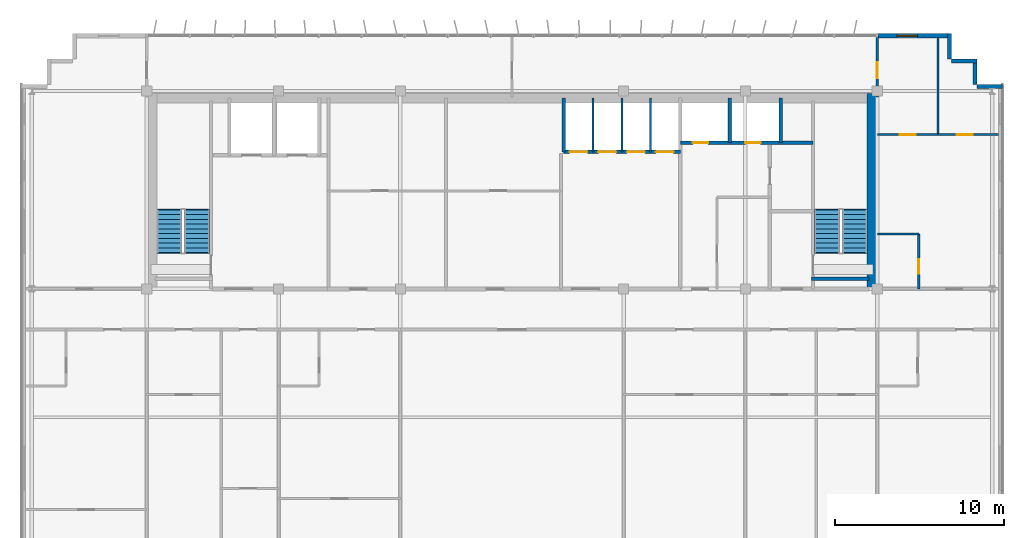
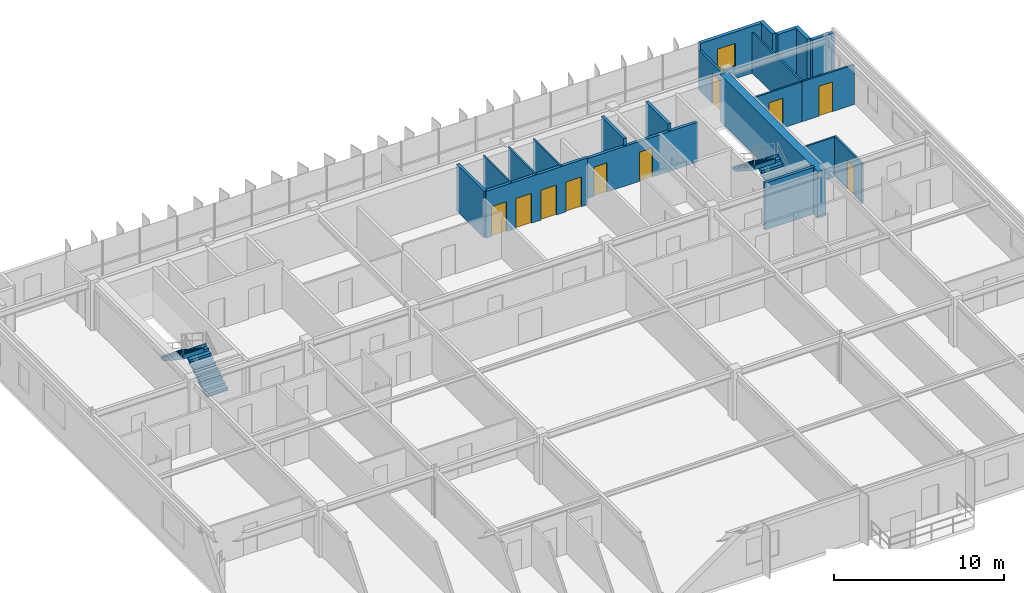
# One storey, part 20 of 22: 21 walls, 10 doors, 4 stair flights, 1 window, 11 openings, 2 elements without a shape of their own.
"""IFC4 building model written with IfcOpenShell, lengths in metres."""

from ifc_helpers import new_model, si_unit, direction, frame, frame_2d, origin, place, context, subcontext, project, spatial, polyline, rectangle, outline, extrude, source, transform, mapped, material, layer, layer_set, type_object, element, fill, aggregate, save


model = new_model("IFC4")

# Units and contexts
model_context = context("Model", 3, precision=1e-05, world=origin(), true_north=direction((0.0, 1.0)))
body_context = subcontext(model_context, "Body", "Model", "MODEL_VIEW")
ifc_project = project(units=[si_unit("LENGTHUNIT", "METRE"), si_unit("AREAUNIT", "SQUARE_METRE"), si_unit("VOLUMEUNIT", "CUBIC_METRE"), si_unit("PLANEANGLEUNIT", "RADIAN"), si_unit("MASSUNIT", "GRAM", prefix="KILO")], contexts=[model_context])

# Site, building, storey
site_placement = place(None, origin())
site = spatial("IfcSite", under=ifc_project, at=site_placement, CompositionType="ELEMENT")
building_placement = place(site_placement, origin())
building = spatial("IfcBuilding", under=site, at=building_placement, Name="Trelvane Seafront Commons", CompositionType="ELEMENT")
storey_placement = place(building_placement, frame((0.0, 0.0, 277.5)))
storey = spatial("IfcBuildingStorey", under=building, at=storey_placement, Name="L72", CompositionType="ELEMENT", Elevation=277.5)

# Wall, opening, window
ifc_material_1 = material(Name="Precast concrete C40/50", Category="concrete")
ifc_layer_1 = layer(ifc_material_1, 0.239990234375, Name="ARCH-WALL-EXT240")
ifc_layer_set_1 = layer_set([ifc_layer_1], Name="Precast concrete C40/50")
wall_type_1 = type_object("IfcWallType", Name="ARCH-WALL-EXT240", PredefinedType="SOLIDWALL", material=ifc_layer_set_1)
wall_1_placement = place(storey_placement, frame((58.800048828125, 48.3701171875, 0.0), z_axis=(0.0, 0.0, 1.0), x_axis=(1.0, 0.0, 0.0)))
wall_1 = element("IfcWall", 1, at=wall_1_placement, inside=storey, type_object=wall_type_1, Name="EW-L72-NE-1446", PredefinedType="SOLIDWALL", context=body_context, shape_type="SweptSolid", body=[
    extrude(rectangle(XDim=4.300048828125, YDim=0.239990234375, at=frame_2d((2.14990234375, 0.0))), origin(), (0.0, 0.0, 1.0), 3.3701171875),
])
opening_1_placement = place(wall_1_placement, frame((1.1689453125, 0.0, 0.89990234375)))
opening_1 = element("IfcOpeningElement", 2, at=opening_1_placement, cuts=wall_1, Name="Opening W05", PredefinedType="OPENING", context=body_context, shape_type="SweptSolid", body=[
    extrude(rectangle(XDim=1.199951171875, YDim=1.64990234375, at=frame_2d((0.60009765625, 0.824951171875))), frame((0.0, 0.1298828125, 0.0), z_axis=(0.0, -1.0, 0.0), x_axis=(1.0, 0.0, 0.0)), (0.0, 0.0, 1.0), 0.260009765625),
])
ifc_material_2 = material(Name="Low-E coastal double glazing", Category="glass")
window_type = type_object("IfcWindowType", Name="ARCH-WIN-W05", PartitioningType="SINGLE_PANEL", PredefinedType="WINDOW", material=ifc_material_2)
shared_shape_1 = source(origin(), body_context, "Body", "SweptSolid", [
    extrude(rectangle(XDim=1.199951171875, YDim=1.64990234375, at=frame_2d((0.60009765625, 0.824951171875))), frame((0.0, 0.030029296875, 0.0), z_axis=(0.0, -1.0, 0.0), x_axis=(1.0, 0.0, 0.0)), (0.0, 0.0, 1.0), 0.06005859375),
])
window_placement = place(opening_1_placement, origin())
window = element("IfcWindow", 3, at=window_placement, inside=storey, type_object=window_type, Name="WIN-L72-01723", OverallHeight=1.64990234375, OverallWidth=1.199951171875, PartitioningType="SINGLE_PANEL", PredefinedType="WINDOW", context=body_context, shape_type="MappedRepresentation", body=[
    mapped(shared_shape_1, transform((0.0, 0.0, 0.0), x_axis=(1.0, 0.0, 0.0), y_axis=(0.0, 1.0, 0.0), z_axis=(0.0, 0.0, 1.0), scale=1.0)),
])
fill(opening_1, window)

# Walls
for number, where, z_axis, x_axis, name in (
    (4, (63.080078125, 48.5, 0.0), (0.0, 0.0, 1.0), (0.0, -1.0, 0.0), "EW-L72-01455"),
    (5, (63.199951171875, 46.8798828125, 0.0), (0.0, 0.0, 1.0), (1.0, 0.0, 0.0), "EW-L72-01456"),
    (6, (64.580078125, 47.0, 0.0), (0.0, 0.0, 1.0), (0.0, -1.0, 0.0), "EW-L72-01457"),
    (7, (64.699951171875, 45.3798828125, 0.0), (0.0, 0.0, 1.0), (1.0, 0.0, 0.0), "EW-L72-01458"),
):
    element("IfcWall", number, at=place(storey_placement, frame(where, z_axis=z_axis, x_axis=x_axis)), inside=storey, type_object=wall_type_1, Name=name, PredefinedType="SOLIDWALL", context=body_context, shape_type="SweptSolid", body=[
        extrude(rectangle(XDim=1.5, YDim=0.239990234375, at=frame_2d((0.75, 0.0))), origin(), (0.0, 0.0, 1.0), 3.3701171875),
    ])
ifc_material_3 = material(Name="Gypsum Drywall Acoustic Partition")
ifc_layer_2 = layer(ifc_material_3, 0.1201171875, Name="ARCH-WALL-PART120")
ifc_layer_set_2 = layer_set([ifc_layer_2], Name="Gypsum Drywall Acoustic Partition")
wall_type_2 = type_object("IfcWallType", Name="ARCH-WALL-PART120", PredefinedType="PARTITIONING", material=ifc_layer_set_2)
for number, where, z_axis, x_axis, name in (
    (8, (42.0, 41.5, 0.0), (0.0, 0.0, 1.0), (0.0, 1.0, 0.0), "W-L72-PH-DIV1-020"),
    (9, (43.699951171875, 41.5, 0.0), (0.0, 0.0, 1.0), (0.0, 1.0, 0.0), "W-L72-PH-DIV2-021"),
    (10, (45.39990234375, 41.5, 0.0), (0.0, 0.0, 1.0), (0.0, 1.0, 0.0), "W-L72-PH-DIV3-022"),
):
    element("IfcWall", number, at=place(storey_placement, frame(where, z_axis=z_axis, x_axis=x_axis)), inside=storey, type_object=wall_type_2, Name=name, PredefinedType="PARTITIONING", context=body_context, shape_type="SweptSolid", body=[
        extrude(rectangle(XDim=3.199951171875, YDim=0.1201171875, at=frame_2d((1.60009765625, 0.0))), origin(), (0.0, 0.0, 1.0), 3.3701171875),
    ])

# Wall, opening, door
wall_2_placement = place(storey_placement, frame((61.25, 33.39990234375, 0.0), z_axis=(0.0, 0.0, 1.0), x_axis=(0.0, 1.0, 0.0)))
wall_2 = element("IfcWall", 11, at=wall_2_placement, inside=storey, type_object=wall_type_2, Name="W-L72-NE-BE-036", PredefinedType="PARTITIONING", context=body_context, shape_type="SweptSolid", body=[
    extrude(rectangle(XDim=3.25, YDim=0.1201171875, at=frame_2d((1.625, 0.0))), origin(), (0.0, 0.0, 1.0), 2.919921875),
])
opening_2_placement = place(wall_2_placement, frame((0.89990234375, 0.0, 0.0)))
opening_2 = element("IfcOpeningElement", 12, at=opening_2_placement, cuts=wall_2, Name="Opening D-L72-22", PredefinedType="OPENING", context=body_context, shape_type="SweptSolid", body=[
    extrude(rectangle(XDim=0.85009765625, YDim=2.10009765625, at=frame_2d((0.425048828125, 1.050048828125))), frame((0.0, 0.070068359375, 0.0), z_axis=(0.0, -1.0, 0.0), x_axis=(1.0, 0.0, 0.0)), (0.0, 0.0, 1.0), 0.14013671875),
])
ifc_material_4 = material(Name="Acoustic timber door leaf", Category="wood")
door_type_1 = type_object("IfcDoorType", Name="ARCH-DR-INT850", OperationType="NOTDEFINED", PredefinedType="DOOR", material=ifc_material_4)
shared_shape_2 = source(origin(), body_context, "Body", "SweptSolid", [
    extrude(rectangle(XDim=0.85009765625, YDim=2.10009765625, at=frame_2d((0.425048828125, 1.050048828125))), frame((0.0, 0.02490234375, 0.0), z_axis=(0.0, -1.0, 0.0), x_axis=(1.0, 0.0, 0.0)), (0.0, 0.0, 1.0), 0.050048828125),
])
door_1_placement = place(opening_2_placement, origin())
door_1 = element("IfcDoor", 13, at=door_1_placement, inside=storey, type_object=door_type_1, Name="L72 Door 22", OperationType="SINGLE_SWING_RIGHT", OverallHeight=2.10009765625, OverallWidth=0.85009765625, PredefinedType="DOOR", context=body_context, shape_type="MappedRepresentation", body=[
    mapped(shared_shape_2, transform((0.0, 0.0, 0.0), x_axis=(1.0, 0.0, 0.0), y_axis=(0.0, 1.0, 0.0), z_axis=(0.0, 0.0, 1.0), scale=1.0)),
])
fill(opening_2, door_1)

# Wall
wall_3_placement = place(storey_placement, frame((58.800048828125, 36.64990234375, 0.0), z_axis=(0.0, 0.0, 1.0), x_axis=(1.0, 0.0, 0.0)))
element("IfcWall", 14, at=wall_3_placement, inside=storey, type_object=wall_type_2, Name="W-L72-NE-BN-037", PredefinedType="PARTITIONING", context=body_context, shape_type="SweptSolid", body=[
    extrude(rectangle(XDim=2.449951171875, YDim=0.1201171875, at=frame_2d((1.22509765625, 0.0))), origin(), (0.0, 0.0, 1.0), 2.8701171875),
])

# Wall, opening, door
wall_4_placement = place(storey_placement, frame((58.800048828125, 42.52001953125, 0.0), z_axis=(0.0, 0.0, 1.0), x_axis=(1.0, 0.0, 0.0)))
wall_4 = element("IfcWall", 15, at=wall_4_placement, inside=storey, type_object=wall_type_2, Name="W-L72-NE-KB1-038", PredefinedType="PARTITIONING", context=body_context, shape_type="SweptSolid", body=[
    extrude(rectangle(XDim=3.574951171875, YDim=0.1201171875, at=frame_2d((1.78759765625, 0.0))), origin(), (0.0, 0.0, 1.0), 2.8701171875),
])
opening_3_placement = place(wall_4_placement, frame((1.31298828125, 0.0, 0.0)))
opening_3 = element("IfcOpeningElement", 16, at=opening_3_placement, cuts=wall_4, Name="Opening D-L72-23", PredefinedType="OPENING", context=body_context, shape_type="SweptSolid", body=[
    extrude(rectangle(XDim=0.949951171875, YDim=2.14990234375, at=frame_2d((0.47509765625, 1.074951171875))), frame((0.0, 0.070068359375, 0.0), z_axis=(0.0, -1.0, 0.0), x_axis=(1.0, 0.0, 0.0)), (0.0, 0.0, 1.0), 0.14013671875),
])
door_type_2 = type_object("IfcDoorType", Name="ARCH-DR-INT950", OperationType="NOTDEFINED", PredefinedType="DOOR", material=ifc_material_4)
shared_shape_3 = source(origin(), body_context, "Body", "SweptSolid", [
    extrude(rectangle(XDim=0.949951171875, YDim=2.14990234375, at=frame_2d((0.47509765625, 1.074951171875))), frame((0.0, 0.02490234375, 0.0), z_axis=(0.0, -1.0, 0.0), x_axis=(1.0, 0.0, 0.0)), (0.0, 0.0, 1.0), 0.050048828125),
])
door_2_placement = place(opening_3_placement, origin())
door_2 = element("IfcDoor", 17, at=door_2_placement, inside=storey, type_object=door_type_2, Name="L72 Door 23", OperationType="SINGLE_SWING_LEFT", OverallHeight=2.14990234375, OverallWidth=0.949951171875, PredefinedType="DOOR", context=body_context, shape_type="MappedRepresentation", body=[
    mapped(shared_shape_3, transform((0.0, 0.0, 0.0), x_axis=(1.0, 0.0, 0.0), y_axis=(0.0, 1.0, 0.0), z_axis=(0.0, 0.0, 1.0), scale=1.0)),
])
fill(opening_3, door_2)

wall_5_placement = place(storey_placement, frame((62.375, 42.52001953125, 0.0), z_axis=(0.0, 0.0, 1.0), x_axis=(1.0, 0.0, 0.0)))
wall_5 = element("IfcWall", 18, at=wall_5_placement, inside=storey, type_object=wall_type_2, Name="W-L72-NE-KB2-039", PredefinedType="PARTITIONING", context=body_context, shape_type="SweptSolid", body=[
    extrude(rectangle(XDim=3.574951171875, YDim=0.1201171875, at=frame_2d((1.78759765625, 0.0))), origin(), (0.0, 0.0, 1.0), 2.8701171875),
])
opening_4_placement = place(wall_5_placement, frame((1.1259765625, 0.0, 0.0)))
opening_4 = element("IfcOpeningElement", 19, at=opening_4_placement, cuts=wall_5, Name="Opening D-L72-24", PredefinedType="OPENING", context=body_context, shape_type="SweptSolid", body=[
    extrude(rectangle(XDim=0.949951171875, YDim=2.14990234375, at=frame_2d((0.47509765625, 1.074951171875))), frame((0.0, 0.070068359375, 0.0), z_axis=(0.0, -1.0, 0.0), x_axis=(1.0, 0.0, 0.0)), (0.0, 0.0, 1.0), 0.14013671875),
])
door_3_placement = place(opening_4_placement, origin())
door_3 = element("IfcDoor", 20, at=door_3_placement, inside=storey, type_object=door_type_2, Name="L72 Door 24", OperationType="SINGLE_SWING_RIGHT", OverallHeight=2.14990234375, OverallWidth=0.949951171875, PredefinedType="DOOR", context=body_context, shape_type="MappedRepresentation", body=[
    mapped(shared_shape_3, transform((0.0, 0.0, 0.0), x_axis=(1.0, 0.0, 0.0), y_axis=(0.0, 1.0, 0.0), z_axis=(0.0, 0.0, 1.0), scale=1.0)),
])
fill(opening_4, door_3)

# Wall
wall_6_placement = place(storey_placement, frame((62.375, 42.52001953125, 0.0), z_axis=(0.0, 0.0, 1.0), x_axis=(0.0, 1.0, 0.0)))
element("IfcWall", 21, at=wall_6_placement, inside=storey, type_object=wall_type_2, Name="W-L72-NE-KBDV-040", PredefinedType="PARTITIONING", context=body_context, shape_type="SweptSolid", body=[
    extrude(rectangle(XDim=5.739990234375, YDim=0.1201171875, at=frame_2d((2.8701171875, 0.0))), origin(), (0.0, 0.0, 1.0), 2.919921875),
])

# Wall, opening, door
ifc_layer_3 = layer(ifc_material_3, 0.14990234375, Name="ARCH-WALL-PART150")
ifc_layer_set_3 = layer_set([ifc_layer_3], Name="Gypsum Drywall Acoustic Partition")
wall_type_3 = type_object("IfcWallType", Name="ARCH-WALL-PART150", PredefinedType="PARTITIONING", material=ifc_layer_set_3)
wall_7_placement = place(storey_placement, frame((58.800048828125, 44.75, 0.0), z_axis=(0.0, 0.0, 1.0), x_axis=(0.0, 1.0, 0.0)))
wall_7 = element("IfcWall", 22, at=wall_7_placement, inside=storey, type_object=wall_type_3, Name="W-L72-N-LINK-E-044", PredefinedType="PARTITIONING", context=body_context, shape_type="SweptSolid", body=[
    extrude(rectangle(XDim=3.610107421875, YDim=0.14990234375, at=frame_2d((1.80517578125, 0.0))), origin(), (0.0, 0.0, 1.0), 2.8701171875),
])
opening_5_placement = place(wall_7_placement, frame((1.10009765625, 0.0, 0.0)))
opening_5 = element("IfcOpeningElement", 23, at=opening_5_placement, cuts=wall_7, Name="Opening FD-L72-28", PredefinedType="OPENING", context=body_context, shape_type="SweptSolid", body=[
    extrude(rectangle(XDim=0.949951171875, YDim=2.14990234375, at=frame_2d((0.47509765625, 1.074951171875))), frame((0.0, 0.0849609375, 0.0), z_axis=(0.0, -1.0, 0.0), x_axis=(1.0, 0.0, 0.0)), (0.0, 0.0, 1.0), 0.169921875),
])
ifc_material_5 = material(Name="Powder-coated aluminium frame", Category="aluminium")
door_type_3 = type_object("IfcDoorType", Name="ARCH-DR-FD60-950", OperationType="NOTDEFINED", PredefinedType="DOOR", material=ifc_material_5)
door_4_placement = place(opening_5_placement, origin())
door_4 = element("IfcDoor", 24, at=door_4_placement, inside=storey, type_object=door_type_3, Name="L72 Door 28", OperationType="SINGLE_SWING_RIGHT", OverallHeight=2.14990234375, OverallWidth=0.949951171875, PredefinedType="DOOR", context=body_context, shape_type="MappedRepresentation", body=[
    mapped(shared_shape_3, transform((0.0, 0.0, 0.0), x_axis=(1.0, 0.0, 0.0), y_axis=(0.0, 1.0, 0.0), z_axis=(0.0, 0.0, 1.0), scale=1.0)),
])
fill(opening_5, door_4)

# Wall, openings, doors
ifc_material_6 = material(Name="Concrete C40/50", Category="concrete")
ifc_layer_4 = layer(ifc_material_6, 0.199951171875, Name="ARCH-WALL-SHAFT200")
ifc_layer_set_4 = layer_set([ifc_layer_4], Name="Concrete C40/50")
wall_type_4 = type_object("IfcWallType", Name="ARCH-WALL-SHAFT200", PredefinedType="SOLIDWALL", material=ifc_layer_set_4)
wall_8_placement = place(storey_placement, frame((40.25, 41.5, 0.0), z_axis=(0.0, 0.0, 1.0), x_axis=(1.0, 0.0, 0.0)))
wall_8 = element("IfcWall", 25, at=wall_8_placement, inside=storey, type_object=wall_type_4, Name="W-L72-PH-FRONT-018", PredefinedType="SOLIDWALL", context=body_context, shape_type="SweptSolid", body=[
    extrude(rectangle(XDim=6.89990234375, YDim=0.199951171875, at=frame_2d((3.449951171875, 0.0))), origin(), (0.0, 0.0, 1.0), 3.3701171875),
])
opening_6_placement = place(wall_8_placement, frame((0.35009765625, 0.0, 0.0)))
opening_6 = element("IfcOpeningElement", 26, at=opening_6_placement, cuts=wall_8, Name="Opening LD-PH1-L72", PredefinedType="OPENING", context=body_context, shape_type="SweptSolid", body=[
    extrude(rectangle(XDim=1.050048828125, YDim=2.14990234375, at=frame_2d((0.52490234375, 1.074951171875))), frame((0.0, 0.10986328125, 0.0), z_axis=(0.0, -1.0, 0.0), x_axis=(1.0, 0.0, 0.0)), (0.0, 0.0, 1.0), 0.219970703125),
])
opening_7_placement = place(wall_8_placement, frame((2.050048828125, 0.0, 0.0)))
opening_7 = element("IfcOpeningElement", 27, at=opening_7_placement, cuts=wall_8, Name="Opening LD-PH2-L72", PredefinedType="OPENING", context=body_context, shape_type="SweptSolid", body=[
    extrude(rectangle(XDim=1.050048828125, YDim=2.14990234375, at=frame_2d((0.52490234375, 1.074951171875))), frame((0.0, 0.10986328125, 0.0), z_axis=(0.0, -1.0, 0.0), x_axis=(1.0, 0.0, 0.0)), (0.0, 0.0, 1.0), 0.219970703125),
])
opening_8_placement = place(wall_8_placement, frame((3.75, 0.0, 0.0)))
opening_8 = element("IfcOpeningElement", 28, at=opening_8_placement, cuts=wall_8, Name="Opening LD-PH3-L72", PredefinedType="OPENING", context=body_context, shape_type="SweptSolid", body=[
    extrude(rectangle(XDim=1.050048828125, YDim=2.14990234375, at=frame_2d((0.52490234375, 1.074951171875))), frame((0.0, 0.10986328125, 0.0), z_axis=(0.0, -1.0, 0.0), x_axis=(1.0, 0.0, 0.0)), (0.0, 0.0, 1.0), 0.219970703125),
])
opening_9_placement = place(wall_8_placement, frame((5.449951171875, 0.0, 0.0)))
opening_9 = element("IfcOpeningElement", 29, at=opening_9_placement, cuts=wall_8, Name="Opening LD-PH4-L72", PredefinedType="OPENING", context=body_context, shape_type="SweptSolid", body=[
    extrude(rectangle(XDim=1.050048828125, YDim=2.14990234375, at=frame_2d((0.52490234375, 1.074951171875))), frame((0.0, 0.10986328125, 0.0), z_axis=(0.0, -1.0, 0.0), x_axis=(1.0, 0.0, 0.0)), (0.0, 0.0, 1.0), 0.219970703125),
])
ifc_material_7 = material(Name="Stainless steel balustrade", Category="steel")
door_type_4 = type_object("IfcDoorType", Name="ARCH-DR-LD1050", OperationType="DOUBLE_DOOR_SLIDING", PredefinedType="DOOR", material=ifc_material_7)
shared_shape_4 = source(origin(), body_context, "Body", "SweptSolid", [
    extrude(rectangle(XDim=1.050048828125, YDim=2.14990234375, at=frame_2d((0.52490234375, 1.074951171875))), frame((0.0, 0.02490234375, 0.0), z_axis=(0.0, -1.0, 0.0), x_axis=(1.0, 0.0, 0.0)), (0.0, 0.0, 1.0), 0.050048828125),
])
door_5_placement = place(opening_6_placement, origin())
door_5 = element("IfcDoor", 30, at=door_5_placement, inside=storey, type_object=door_type_4, Name="L72 Passenger Lift PH-1 Landing Door", OperationType="DOUBLE_DOOR_SLIDING", OverallHeight=2.14990234375, OverallWidth=1.050048828125, PredefinedType="DOOR", context=body_context, shape_type="MappedRepresentation", body=[
    mapped(shared_shape_4, transform((0.0, 0.0, 0.0), x_axis=(1.0, 0.0, 0.0), y_axis=(0.0, 1.0, 0.0), z_axis=(0.0, 0.0, 1.0), scale=1.0)),
])
fill(opening_6, door_5)
door_6_placement = place(opening_7_placement, origin())
door_6 = element("IfcDoor", 31, at=door_6_placement, inside=storey, type_object=door_type_4, Name="L72 Passenger Lift PH-2 Landing Door", OperationType="DOUBLE_DOOR_SLIDING", OverallHeight=2.14990234375, OverallWidth=1.050048828125, PredefinedType="DOOR", context=body_context, shape_type="MappedRepresentation", body=[
    mapped(shared_shape_4, transform((0.0, 0.0, 0.0), x_axis=(1.0, 0.0, 0.0), y_axis=(0.0, 1.0, 0.0), z_axis=(0.0, 0.0, 1.0), scale=1.0)),
])
fill(opening_7, door_6)
door_7_placement = place(opening_8_placement, origin())
door_7 = element("IfcDoor", 32, at=door_7_placement, inside=storey, type_object=door_type_4, Name="L72 Passenger Lift PH-3 Landing Door", OperationType="DOUBLE_DOOR_SLIDING", OverallHeight=2.14990234375, OverallWidth=1.050048828125, PredefinedType="DOOR", context=body_context, shape_type="MappedRepresentation", body=[
    mapped(shared_shape_4, transform((0.0, 0.0, 0.0), x_axis=(1.0, 0.0, 0.0), y_axis=(0.0, 1.0, 0.0), z_axis=(0.0, 0.0, 1.0), scale=1.0)),
])
fill(opening_8, door_7)
door_8_placement = place(opening_9_placement, origin())
door_8 = element("IfcDoor", 33, at=door_8_placement, inside=storey, type_object=door_type_4, Name="L72 Passenger Lift PH-4 Landing Door", OperationType="DOUBLE_DOOR_SLIDING", OverallHeight=2.14990234375, OverallWidth=1.050048828125, PredefinedType="DOOR", context=body_context, shape_type="MappedRepresentation", body=[
    mapped(shared_shape_4, transform((0.0, 0.0, 0.0), x_axis=(1.0, 0.0, 0.0), y_axis=(0.0, 1.0, 0.0), z_axis=(0.0, 0.0, 1.0), scale=1.0)),
])
fill(opening_9, door_8)

# Wall
wall_9_placement = place(storey_placement, frame((40.25, 41.5, 0.0), z_axis=(0.0, 0.0, 1.0), x_axis=(0.0, 1.0, 0.0)))
element("IfcWall", 34, at=wall_9_placement, inside=storey, type_object=wall_type_4, Name="W-L72-PH-WEST-SH-019", PredefinedType="SOLIDWALL", context=body_context, shape_type="SweptSolid", body=[
    extrude(rectangle(XDim=3.199951171875, YDim=0.199951171875, at=frame_2d((1.60009765625, 0.0))), origin(), (0.0, 0.0, 1.0), 3.3701171875),
])

# Wall, openings, doors
wall_10_placement = place(storey_placement, frame((47.14990234375, 42.050048828125, 0.0), z_axis=(0.0, 0.0, 1.0), x_axis=(1.0, 0.0, 0.0)))
wall_10 = element("IfcWall", 35, at=wall_10_placement, inside=storey, type_object=wall_type_4, Name="W-L72-RSR-S-027", PredefinedType="SOLIDWALL", context=body_context, shape_type="SweptSolid", body=[
    extrude(rectangle(XDim=7.85009765625, YDim=0.199951171875, at=frame_2d((3.925048828125, 0.0))), origin(), (0.0, 0.0, 1.0), 2.8701171875),
])
opening_10_placement = place(wall_10_placement, frame((0.75, 0.0, 0.0)))
opening_10 = element("IfcOpeningElement", 36, at=opening_10_placement, cuts=wall_10, Name="Opening FD-L72-15", PredefinedType="OPENING", context=body_context, shape_type="SweptSolid", body=[
    extrude(rectangle(XDim=0.89990234375, YDim=2.10009765625, at=frame_2d((0.449951171875, 1.050048828125))), frame((0.0, 0.10986328125, 0.0), z_axis=(0.0, -1.0, 0.0), x_axis=(1.0, 0.0, 0.0)), (0.0, 0.0, 1.0), 0.219970703125),
])
opening_11_placement = place(wall_10_placement, frame((3.85009765625, 0.0, 0.0)))
opening_11 = element("IfcOpeningElement", 37, at=opening_11_placement, cuts=wall_10, Name="Opening FD-L72-16", PredefinedType="OPENING", context=body_context, shape_type="SweptSolid", body=[
    extrude(rectangle(XDim=0.89990234375, YDim=2.10009765625, at=frame_2d((0.449951171875, 1.050048828125))), frame((0.0, 0.10986328125, 0.0), z_axis=(0.0, -1.0, 0.0), x_axis=(1.0, 0.0, 0.0)), (0.0, 0.0, 1.0), 0.219970703125),
])
door_type_5 = type_object("IfcDoorType", Name="ARCH-DR-FD60-900", OperationType="NOTDEFINED", PredefinedType="DOOR", material=ifc_material_5)
shared_shape_5 = source(origin(), body_context, "Body", "SweptSolid", [
    extrude(rectangle(XDim=0.89990234375, YDim=2.10009765625, at=frame_2d((0.449951171875, 1.050048828125))), frame((0.0, 0.02490234375, 0.0), z_axis=(0.0, -1.0, 0.0), x_axis=(1.0, 0.0, 0.0)), (0.0, 0.0, 1.0), 0.050048828125),
])
door_9_placement = place(opening_10_placement, origin())
door_9 = element("IfcDoor", 38, at=door_9_placement, inside=storey, type_object=door_type_5, Name="L72 Electrical Riser Access Door", OperationType="SINGLE_SWING_LEFT", OverallHeight=2.10009765625, OverallWidth=0.89990234375, PredefinedType="DOOR", context=body_context, shape_type="MappedRepresentation", body=[
    mapped(shared_shape_5, transform((0.0, 0.0, 0.0), x_axis=(1.0, 0.0, 0.0), y_axis=(0.0, 1.0, 0.0), z_axis=(0.0, 0.0, 1.0), scale=1.0)),
])
fill(opening_10, door_9)
door_10_placement = place(opening_11_placement, origin())
door_10 = element("IfcDoor", 39, at=door_10_placement, inside=storey, type_object=door_type_5, Name="L72 Mechanical Riser Access Door", OperationType="SINGLE_SWING_RIGHT", OverallHeight=2.10009765625, OverallWidth=0.89990234375, PredefinedType="DOOR", context=body_context, shape_type="MappedRepresentation", body=[
    mapped(shared_shape_5, transform((0.0, 0.0, 0.0), x_axis=(1.0, 0.0, 0.0), y_axis=(0.0, 1.0, 0.0), z_axis=(0.0, 0.0, 1.0), scale=1.0)),
])
fill(opening_11, door_10)

# Walls
for number, where, z_axis, x_axis, name in (
    (40, (50.080078125, 42.050048828125, 0.0), (0.0, 0.0, 1.0), (0.0, 1.0, 0.0), "W-L72-RSR-DIV-028"),
    (41, (53.10009765625, 42.050048828125, 0.0), (0.0, 0.0, 1.0), (0.0, 1.0, 0.0), "W-L72-RSR-E-029"),
):
    element("IfcWall", number, at=place(storey_placement, frame(where, z_axis=z_axis, x_axis=x_axis)), inside=storey, type_object=wall_type_4, Name=name, PredefinedType="SOLIDWALL", context=body_context, shape_type="SweptSolid", body=[
        extrude(rectangle(XDim=2.64990234375, YDim=0.199951171875, at=frame_2d((1.324951171875, 0.0))), origin(), (0.0, 0.0, 1.0), 3.3701171875),
    ])
ifc_material_8 = material(Name="Concrete C50/60", Category="concrete")
ifc_layer_5 = layer(ifc_material_8, 0.550048828125, Name="STR-WALL-CORE550")
ifc_layer_set_5 = layer_set([ifc_layer_5], Name="Concrete C50/60")
wall_type_5 = type_object("IfcWallType", Name="STR-WALL-CORE550", PredefinedType="SHEAR", material=ifc_layer_set_5)
wall_11_placement = place(storey_placement, frame((58.47509765625, 33.39990234375, 0.0), z_axis=(0.0, 0.0, 1.0), x_axis=(0.0, 1.0, 0.0)))
element("IfcWall", 42, at=wall_11_placement, inside=storey, type_object=wall_type_5, Name="W-L72-CE-END-003", PredefinedType="SHEAR", context=body_context, shape_type="SweptSolid", body=[
    extrude(rectangle(XDim=11.550048828125, YDim=0.550048828125, at=frame_2d((5.77490234375, 0.0))), origin(), (0.0, 0.0, 1.0), 3.3701171875),
])
ifc_layer_6 = layer(ifc_material_8, 0.199951171875, Name="STR-WALL-STAIR200")
ifc_layer_set_6 = layer_set([ifc_layer_6], Name="Concrete C50/60")
wall_type_6 = type_object("IfcWallType", Name="STR-WALL-STAIR200", PredefinedType="SHEAR", material=ifc_layer_set_6)
wall_12_placement = place(storey_placement, frame((54.89990234375, 34.0, 0.0), z_axis=(0.0, 0.0, 1.0), x_axis=(1.0, 0.0, 0.0)))
element("IfcWall", 43, at=wall_12_placement, inside=storey, type_object=wall_type_6, Name="W-L72-ST2-S-006", PredefinedType="SHEAR", context=body_context, shape_type="SweptSolid", body=[
    extrude(rectangle(XDim=3.400146484375, YDim=0.199951171875, at=frame_2d((1.7001953125, 0.0))), origin(), (0.0, 0.0, 1.0), 3.3701171875),
])

# Stair, stair flights
stair_type_1 = type_object("IfcStairType", Name="ARCH-STR-ST-1-R20-180", PredefinedType="HALF_TURN_STAIR", material=ifc_material_6)
stair_1_placement = place(storey_placement, origin())
stair_1 = element("IfcStair", 44, at=stair_1_placement, inside=storey, type_object=stair_type_1, Name="L72 West Protected Firefighting Exit Stair ST-1", PredefinedType="HALF_TURN_STAIR")
stair_flight_type_1 = type_object("IfcStairFlightType", Name="ARCH-FLG-ST-1-R20-180", PredefinedType="STRAIGHT", material=ifc_material_6)
shared_shape_6 = source(origin(), body_context, "Body", "SweptSolid", [
    extrude(outline(polyline([(-0.050048828125, -0.02001953125), (-0.050048828125, 0.0), (0.0, 0.0), (0.0, 0.179931640625), (0.280029296875, 0.179931640625), (0.280029296875, 0.360107421875), (0.56005859375, 0.360107421875), (0.56005859375, 0.5400390625), (0.840087890625, 0.5400390625), (0.840087890625, 0.719970703125), (1.1201171875, 0.719970703125), (1.1201171875, 0.89990234375), (1.39990234375, 0.89990234375), (1.39990234375, 1.080078125), (1.679931640625, 1.080078125), (1.679931640625, 1.260009765625), (1.9599609375, 1.260009765625), (1.9599609375, 1.43994140625), (2.239990234375, 1.43994140625), (2.239990234375, 1.6201171875), (2.52001953125, 1.6201171875), (2.52001953125, 1.800048828125), (2.570068359375, 1.800048828125), (2.570068359375, 1.650146484375), (2.52001953125, 1.44189453125), (0.277099609375, -0.02001953125), (-0.050048828125, -0.02001953125)])), frame((0.0, 0.72509765625, 0.0), z_axis=(0.0, -1.0, 0.0), x_axis=(1.0, 0.0, 0.0)), (0.0, 0.0, 1.0), 1.449951171875),
])
stair_flight_1_placement = place(storey_placement, frame((18.574951171875, 35.550048828125, 0.0), z_axis=(0.0, 0.0, 1.0), x_axis=(0.0, 1.0, 0.0)))
stair_flight_1 = element("IfcStairFlight", 45, at=stair_flight_1_placement, type_object=stair_flight_type_1, Name="ST-1 flight 1", NumberOfRisers=10, NumberOfTreads=9, PredefinedType="STRAIGHT", RiserHeight=0.18, TreadLength=0.28, context=body_context, shape_type="MappedRepresentation", body=[
    mapped(shared_shape_6, transform((0.0, 0.0, 0.0), x_axis=(1.0, 0.0, 0.0), y_axis=(0.0, 1.0, 0.0), z_axis=(0.0, 0.0, 1.0), scale=1.0)),
])
stair_flight_2_placement = place(storey_placement, frame((16.925048828125, 38.070068359375, 1.800048828125), z_axis=(0.0, 0.0, 1.0), x_axis=(0.0, -1.0, 0.0)))
stair_flight_2 = element("IfcStairFlight", 46, at=stair_flight_2_placement, type_object=stair_flight_type_1, Name="ST-1 flight 2", NumberOfRisers=10, NumberOfTreads=9, PredefinedType="STRAIGHT", RiserHeight=0.18, TreadLength=0.28, context=body_context, shape_type="MappedRepresentation", body=[
    mapped(shared_shape_6, transform((0.0, 0.0, 0.0), x_axis=(1.0, 0.0, 0.0), y_axis=(0.0, 1.0, 0.0), z_axis=(0.0, 0.0, 1.0), scale=1.0)),
])
aggregate(stair_1, [stair_flight_1, stair_flight_2])

stair_type_2 = type_object("IfcStairType", Name="ARCH-STR-ST-2-R20-180", PredefinedType="HALF_TURN_STAIR", material=ifc_material_6)
stair_2_placement = place(storey_placement, origin())
stair_2 = element("IfcStair", 47, at=stair_2_placement, inside=storey, type_object=stair_type_2, Name="L72 East Protected Firefighting Exit Stair ST-2", PredefinedType="HALF_TURN_STAIR")
stair_flight_type_2 = type_object("IfcStairFlightType", Name="ARCH-FLG-ST-2-R20-180", PredefinedType="STRAIGHT", material=ifc_material_6)
stair_flight_3_placement = place(storey_placement, frame((57.47509765625, 35.550048828125, 0.0), z_axis=(0.0, 0.0, 1.0), x_axis=(0.0, 1.0, 0.0)))
stair_flight_3 = element("IfcStairFlight", 48, at=stair_flight_3_placement, type_object=stair_flight_type_2, Name="ST-2 flight 1", NumberOfRisers=10, NumberOfTreads=9, PredefinedType="STRAIGHT", RiserHeight=0.18, TreadLength=0.28, context=body_context, shape_type="MappedRepresentation", body=[
    mapped(shared_shape_6, transform((0.0, 0.0, 0.0), x_axis=(1.0, 0.0, 0.0), y_axis=(0.0, 1.0, 0.0), z_axis=(0.0, 0.0, 1.0), scale=1.0)),
])
stair_flight_4_placement = place(storey_placement, frame((55.824951171875, 38.070068359375, 1.800048828125), z_axis=(0.0, 0.0, 1.0), x_axis=(0.0, -1.0, 0.0)))
stair_flight_4 = element("IfcStairFlight", 49, at=stair_flight_4_placement, type_object=stair_flight_type_2, Name="ST-2 flight 2", NumberOfRisers=10, NumberOfTreads=9, PredefinedType="STRAIGHT", RiserHeight=0.18, TreadLength=0.28, context=body_context, shape_type="MappedRepresentation", body=[
    mapped(shared_shape_6, transform((0.0, 0.0, 0.0), x_axis=(1.0, 0.0, 0.0), y_axis=(0.0, 1.0, 0.0), z_axis=(0.0, 0.0, 1.0), scale=1.0)),
])
aggregate(stair_2, [stair_flight_3, stair_flight_4])

save(model, "model.ifc")
